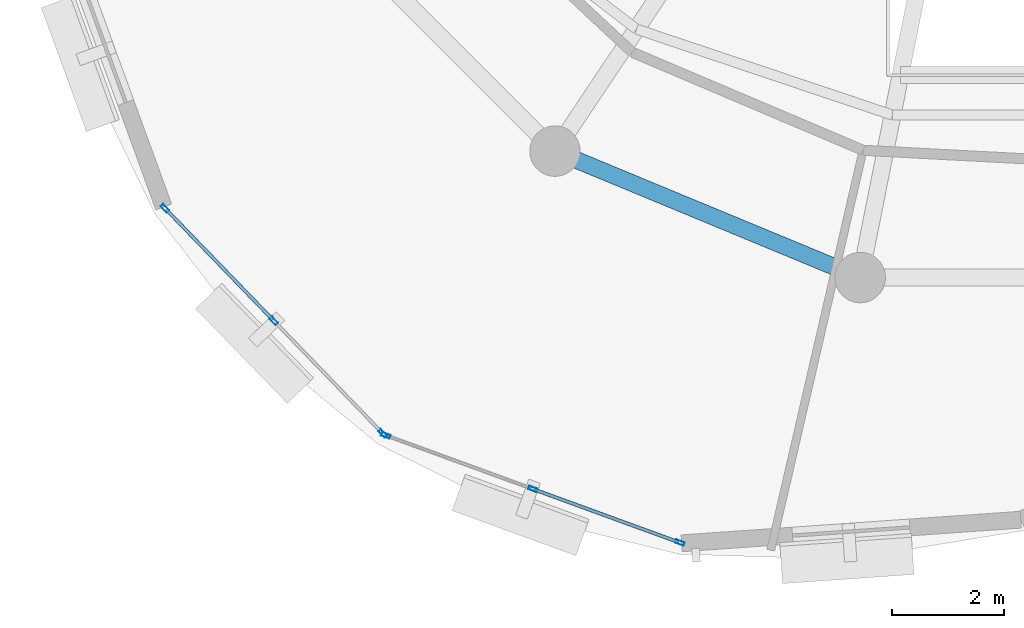
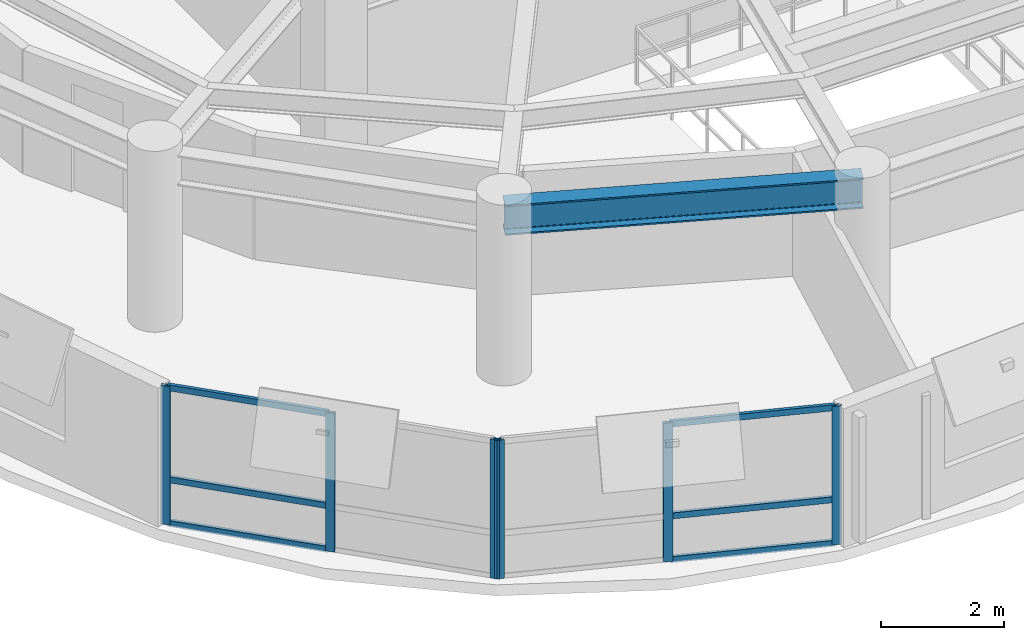
# One storey, part 2 of 11: 12 members, 1 beam, 2 elements without a shape of their own.
"""IFC4 building model written with IfcOpenShell, lengths in metres."""

from ifc_helpers import new_model, si_unit, direction, frame, origin, origin_2d, place, context, subcontext, project, spatial, hollow_rectangle, i_section, extrude, material, layer, layer_set, material_profile, profile_set, type_object, element, aggregate, save


model = new_model("IFC4")

# Units and contexts
model_context = context("Model", 3, precision=1e-05, world=origin(), true_north=direction((0.0, 1.0)))
body_context = subcontext(model_context, "Body", "Model", "MODEL_VIEW")
ifc_project = project(units=[si_unit("LENGTHUNIT", "METRE"), si_unit("AREAUNIT", "SQUARE_METRE"), si_unit("VOLUMEUNIT", "CUBIC_METRE"), si_unit("PLANEANGLEUNIT", "RADIAN"), si_unit("MASSUNIT", "GRAM", prefix="KILO"), si_unit("THERMODYNAMICTEMPERATUREUNIT", "KELVIN"), si_unit("POWERUNIT", "WATT")], contexts=[model_context])

# Site, building, storey
site_placement = place(None, origin())
site = spatial("IfcSite", under=ifc_project, at=site_placement, CompositionType="ELEMENT")
building_placement = place(site_placement, origin())
building = spatial("IfcBuilding", under=site, at=building_placement, Name="Ocrelia Relay Tower", CompositionType="ELEMENT")
storey_placement = place(building_placement, frame((0.0, 0.0, 266.39990234375)))
storey = spatial("IfcBuildingStorey", under=building, at=storey_placement, Name="L66", CompositionType="ELEMENT", Elevation=266.39990234375)

# Beam
ifc_material_1 = material(Name="Steel S355", Category="steel")
ifc_material_profile_1 = material_profile(ifc_material_1, i_section(OverallWidth=0.300048828125, OverallDepth=0.60009765625, WebThickness=0.015380859375, FlangeThickness=0.030029296875, FilletRadius=0.027099609375, at=origin_2d()), Name="HEB 600")
ifc_profile_set_1 = profile_set([ifc_material_profile_1], Name="Steel S355")
beam_type = type_object("IfcBeamType", Name="BM-HEB600", PredefinedType="BEAM", material=ifc_profile_set_1)
beam_placement = place(storey_placement, frame((25.61083984375, 13.44482421875, 3.080078125), z_axis=(0.923884009374, -0.382672624084, 0.0), x_axis=(0.382672624084, 0.923884009374, 0.0)))
element("IfcBeam", 1, at=beam_placement, inside=storey, type_object=beam_type, Name="L66 Perimeter Spandrel Beam S11", PredefinedType="BEAM", context=body_context, shape_type="SweptSolid", body=[
    extrude(i_section(OverallWidth=0.300048828125, OverallDepth=0.60009765625, WebThickness=0.015380859375, FlangeThickness=0.030029296875, FilletRadius=0.027099609375, at=origin_2d()), origin(), (0.0, 0.0, 1.0), 5.891845703125),
])

# Curtain wall, members
ifc_material_2 = material(Name="Aluminium and solar-control low-E glass", Category="aluminium")
ifc_layer = layer(ifc_material_2, 0.179931640625, Name="Aluminium and solar-control low-E glass")
ifc_layer_set = layer_set([ifc_layer], Name="Aluminium and solar-control low-E glass")
curtain_wall_type = type_object("IfcCurtainWallType", Name="CW-SYS-Z4-EXEC", PredefinedType="NOTDEFINED", material=ifc_layer_set)
curtain_wall_1_placement = place(storey_placement, origin())
curtain_wall_1 = element("IfcCurtainWall", 2, at=curtain_wall_1_placement, inside=storey, type_object=curtain_wall_type, Name="L66 Elliptical Tower Curtain Wall Bay 09", PredefinedType="NOTDEFINED")
ifc_material_3 = material(Name="Anodised bronze aluminium", Category="aluminium")
ifc_material_profile_2 = material_profile(ifc_material_3, hollow_rectangle(XDim=0.06494140625, YDim=0.159912109375, WallThickness=0.0048828125, at=origin_2d()), Name="CW-MUL-160x65")
ifc_profile_set_2 = profile_set([ifc_material_profile_2], Name="Anodised bronze aluminium")
member_type_1 = type_object("IfcMemberType", Name="CW-SYS-Z4-EXEC-MUL", PredefinedType="MULLION", material=ifc_profile_set_2)
member_1_placement = place(storey_placement, frame((18.65673828125, 12.42578125, 0.0), z_axis=(0.0, 0.0, 1.0), x_axis=(0.718760751004, 0.695257493895, 0.0)))
member_1 = element("IfcMember", 3, at=member_1_placement, type_object=member_type_1, Name="CW-Z4 mullion 1", PredefinedType="MULLION", context=body_context, shape_type="SweptSolid", body=[
    extrude(hollow_rectangle(XDim=0.06494140625, YDim=0.159912109375, WallThickness=0.0048828125, at=origin_2d()), origin(), (0.0, 0.0, 1.0), 2.760009765625),
])
member_2_placement = place(storey_placement, frame((20.598388671875, 10.41845703125, 0.0), z_axis=(0.0, 0.0, 1.0), x_axis=(0.718760751004, 0.695257493895, 0.0)))
member_2 = element("IfcMember", 4, at=member_2_placement, type_object=member_type_1, Name="CW-Z4 mullion 2", PredefinedType="MULLION", context=body_context, shape_type="SweptSolid", body=[
    extrude(hollow_rectangle(XDim=0.06494140625, YDim=0.159912109375, WallThickness=0.0048828125, at=origin_2d()), origin(), (0.0, 0.0, 1.0), 2.760009765625),
])
member_3_placement = place(storey_placement, frame((22.5400390625, 8.411376953125, 0.0), z_axis=(0.0, 0.0, 1.0), x_axis=(0.718760751004, 0.695257493895, 0.0)))
member_3 = element("IfcMember", 5, at=member_3_placement, type_object=member_type_1, Name="CW-Z4 mullion 3", PredefinedType="MULLION", context=body_context, shape_type="SweptSolid", body=[
    extrude(hollow_rectangle(XDim=0.06494140625, YDim=0.159912109375, WallThickness=0.0048828125, at=origin_2d()), origin(), (0.0, 0.0, 1.0), 2.760009765625),
])

curtain_wall_2_placement = place(storey_placement, origin())
curtain_wall_2 = element("IfcCurtainWall", 6, at=curtain_wall_2_placement, inside=storey, type_object=curtain_wall_type, Name="L66 Elliptical Tower Curtain Wall Bay 10", PredefinedType="NOTDEFINED")
member_4_placement = place(storey_placement, frame((22.593017578125, 8.376708984375, 0.0), z_axis=(0.0, 0.0, 1.0), x_axis=(0.342798674659, 0.939408893215, 0.0)))
member_4 = element("IfcMember", 7, at=member_4_placement, type_object=member_type_1, Name="CW-Z4 mullion 1", PredefinedType="MULLION", context=body_context, shape_type="SweptSolid", body=[
    extrude(hollow_rectangle(XDim=0.06494140625, YDim=0.159912109375, WallThickness=0.0048828125, at=origin_2d()), origin(), (0.0, 0.0, 1.0), 2.760009765625),
])
member_5_placement = place(storey_placement, frame((25.216552734375, 7.41943359375, 0.0), z_axis=(0.0, 0.0, 1.0), x_axis=(0.342798674659, 0.939408893215, 0.0)))
member_5 = element("IfcMember", 8, at=member_5_placement, type_object=member_type_1, Name="CW-Z4 mullion 2", PredefinedType="MULLION", context=body_context, shape_type="SweptSolid", body=[
    extrude(hollow_rectangle(XDim=0.06494140625, YDim=0.159912109375, WallThickness=0.0048828125, at=origin_2d()), origin(), (0.0, 0.0, 1.0), 2.760009765625),
])
member_6_placement = place(storey_placement, frame((27.840087890625, 6.462158203125, 0.0), z_axis=(0.0, 0.0, 1.0), x_axis=(0.342798674659, 0.939408893215, 0.0)))
member_6 = element("IfcMember", 9, at=member_6_placement, type_object=member_type_1, Name="CW-Z4 mullion 3", PredefinedType="MULLION", context=body_context, shape_type="SweptSolid", body=[
    extrude(hollow_rectangle(XDim=0.06494140625, YDim=0.159912109375, WallThickness=0.0048828125, at=origin_2d()), origin(), (0.0, 0.0, 1.0), 2.760009765625),
])

# Member
ifc_material_profile_3 = material_profile(ifc_material_3, hollow_rectangle(XDim=0.06005859375, YDim=0.1201171875, WallThickness=0.0048828125, at=origin_2d()), Name="CW-TRN-120x60")
ifc_profile_set_3 = profile_set([ifc_material_profile_3], Name="Anodised bronze aluminium")
member_type_2 = type_object("IfcMemberType", Name="CW-SYS-Z4-EXEC-TRN", PredefinedType="USERDEFINED", material=ifc_profile_set_3)
member_7_placement = place(storey_placement, frame((18.679443359375, 12.40234375, 0.030029296875), z_axis=(0.695238004318, -0.718779602765, 0.0), x_axis=(0.718779602765, 0.695238004318, 0.0)))
member_7 = element("IfcMember", 10, at=member_7_placement, type_object=member_type_2, Name="CW-Z4 transom 1.1", ObjectType="TRANSOM", PredefinedType="USERDEFINED", context=body_context, shape_type="SweptSolid", body=[
    extrude(hollow_rectangle(XDim=0.06005859375, YDim=0.1201171875, WallThickness=0.0048828125, at=origin_2d()), origin(), (0.0, 0.0, 1.0), 2.7275390625),
])

member_8_placement = place(storey_placement, frame((18.679443359375, 12.40234375, 0.900146484375), z_axis=(0.695238004318, -0.718779602765, 0.0), x_axis=(0.718779602765, 0.695238004318, 0.0)))
member_8 = element("IfcMember", 11, at=member_8_placement, type_object=member_type_2, Name="CW-Z4 transom 1.2", ObjectType="TRANSOM", PredefinedType="USERDEFINED", context=body_context, shape_type="SweptSolid", body=[
    extrude(hollow_rectangle(XDim=0.06005859375, YDim=0.1201171875, WallThickness=0.0048828125, at=origin_2d()), origin(), (0.0, 0.0, 1.0), 2.7275390625),
])

member_9_placement = place(storey_placement, frame((18.679443359375, 12.40234375, 2.72998046875), z_axis=(0.695238004318, -0.718779602765, 0.0), x_axis=(0.718779602765, 0.695238004318, 0.0)))
member_9 = element("IfcMember", 12, at=member_9_placement, type_object=member_type_2, Name="CW-Z4 transom 1.3", ObjectType="TRANSOM", PredefinedType="USERDEFINED", context=body_context, shape_type="SweptSolid", body=[
    extrude(hollow_rectangle(XDim=0.06005859375, YDim=0.1201171875, WallThickness=0.0048828125, at=origin_2d()), origin(), (0.0, 0.0, 1.0), 2.7275390625),
])

aggregate(curtain_wall_1, [member_1, member_2, member_3, member_7, member_8, member_9])

member_10_placement = place(storey_placement, frame((25.2470703125, 7.408203125, 0.030029296875), z_axis=(0.939429617079, -0.342741877446, 0.0), x_axis=(0.342741877446, 0.939429617079, 0.0)))
member_10 = element("IfcMember", 13, at=member_10_placement, type_object=member_type_2, Name="CW-Z4 transom 2.1", ObjectType="TRANSOM", PredefinedType="USERDEFINED", context=body_context, shape_type="SweptSolid", body=[
    extrude(hollow_rectangle(XDim=0.06005859375, YDim=0.1201171875, WallThickness=0.0048828125, at=origin_2d()), origin(), (0.0, 0.0, 1.0), 2.7275390625),
])

member_11_placement = place(storey_placement, frame((25.2470703125, 7.408203125, 0.900146484375), z_axis=(0.939429617079, -0.342741877446, 0.0), x_axis=(0.342741877446, 0.939429617079, 0.0)))
member_11 = element("IfcMember", 14, at=member_11_placement, type_object=member_type_2, Name="CW-Z4 transom 2.2", ObjectType="TRANSOM", PredefinedType="USERDEFINED", context=body_context, shape_type="SweptSolid", body=[
    extrude(hollow_rectangle(XDim=0.06005859375, YDim=0.1201171875, WallThickness=0.0048828125, at=origin_2d()), origin(), (0.0, 0.0, 1.0), 2.7275390625),
])

member_12_placement = place(storey_placement, frame((25.2470703125, 7.408203125, 2.72998046875), z_axis=(0.939429617079, -0.342741877446, 0.0), x_axis=(0.342741877446, 0.939429617079, 0.0)))
member_12 = element("IfcMember", 15, at=member_12_placement, type_object=member_type_2, Name="CW-Z4 transom 2.3", ObjectType="TRANSOM", PredefinedType="USERDEFINED", context=body_context, shape_type="SweptSolid", body=[
    extrude(hollow_rectangle(XDim=0.06005859375, YDim=0.1201171875, WallThickness=0.0048828125, at=origin_2d()), origin(), (0.0, 0.0, 1.0), 2.7275390625),
])

aggregate(curtain_wall_2, [member_4, member_5, member_6, member_10, member_11, member_12])

save(model, "model.ifc")
